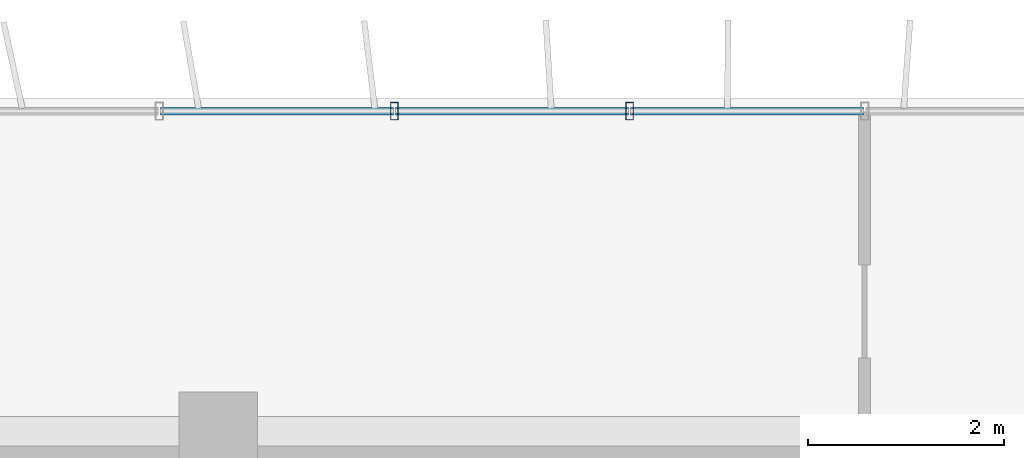
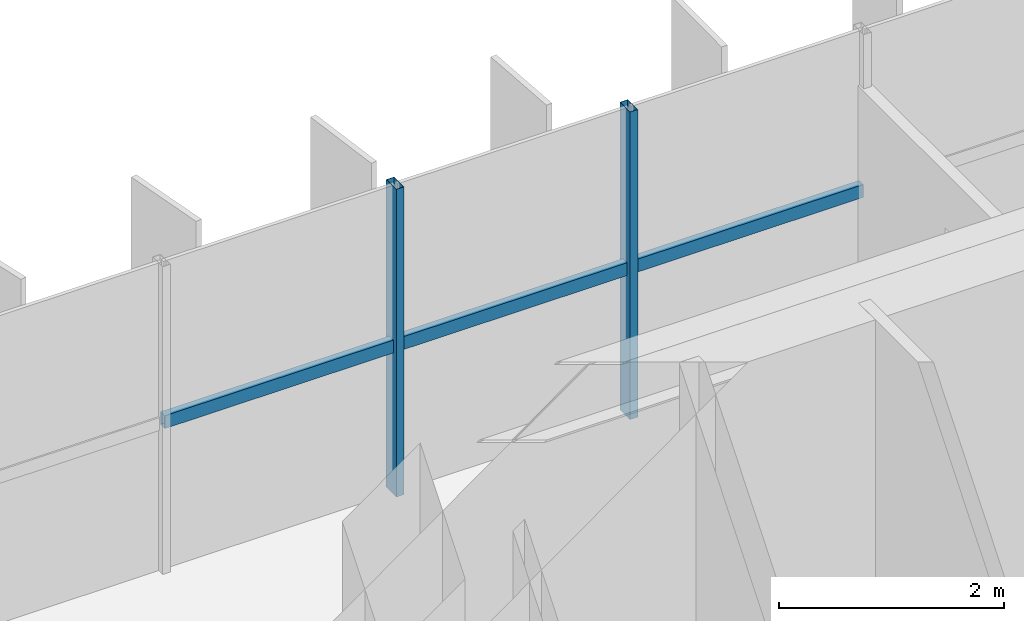
# One storey, part 7 of 22: 5 members, 1 element without a shape of its own.
"""IFC4 building model written with IfcOpenShell, lengths in metres."""

import ifcopenshell
import ifcopenshell.guid

model = None  # the IFC model being written
_history = None  # IfcOwnerHistory: only IFC2X3 demands one
_inside = {}  # id of a spatial element -> (the spatial element, [elements in it])
_under = {}  # id of a project, library or spatial element -> (it, [spatial elements below it])
_declared = {}  # id of a project -> (the project, [libraries it declares])
_typed = {}  # id of a type object -> (the type object, [elements of that type])
_made_of = {}  # id of a material, layer set ... -> (it, [elements and type objects made of it])


def new_model(schema):
    """Start an empty IFC model of exactly this schema.

    Asked for "IFC4X3", IfcOpenShell would pick the latest addendum, in which some entities
    have other attributes; the version numbers below select the first issue.
    IFC2X3 requires an IfcOwnerHistory on every rooted entity: one is made here for all.
    """
    global model, _history
    if schema == "IFC4X3":
        model = ifcopenshell.file(schema_version=(4, 3, 0, 0))
    else:
        model = ifcopenshell.file(schema=schema)
    _inside.clear()
    _under.clear()
    _declared.clear()
    _typed.clear()
    _made_of.clear()
    _history = None
    if model.schema == "IFC2X3":
        org = make("IfcOrganization", Name="unknown")
        user = make(
            "IfcPersonAndOrganization",
            ThePerson=make("IfcPerson", FamilyName="unknown"),
            TheOrganization=org,
        )
        app = make(
            "IfcApplication",
            ApplicationDeveloper=org,
            Version="unknown",
            ApplicationFullName="unknown",
            ApplicationIdentifier="unknown",
        )
        _history = make(
            "IfcOwnerHistory",
            OwningUser=user,
            OwningApplication=app,
            ChangeAction="ADDED",
            CreationDate=0,
        )
    return model


def make(cls, **values):
    """One entity of the class cls with the attributes given. An attribute that is None is left unset."""
    return model.create_entity(
        cls, **{name: value for name, value in values.items() if value is not None}
    )


def rooted(cls, **values):
    """An entity with a GlobalId (a new one), such as an element, a storey or a relation."""
    return make(cls, GlobalId=ifcopenshell.guid.new(), OwnerHistory=_history, **values)


def si_unit(unit_type, name, prefix=None):
    """IfcSIUnit, for example si_unit("LENGTHUNIT", "METRE", prefix="MILLI")."""
    return make("IfcSIUnit", UnitType=unit_type, Prefix=prefix, Name=name)


def assignment(units):
    """IfcUnitAssignment: the units of a project."""
    return None if units is None else make("IfcUnitAssignment", Units=units)


def point(xyz):
    """IfcCartesianPoint."""
    return None if xyz is None else make("IfcCartesianPoint", Coordinates=xyz)


def direction(xyz):
    """IfcDirection."""
    return None if xyz is None else make("IfcDirection", DirectionRatios=xyz)


def frame(location, z_axis=None, x_axis=None):
    """IfcAxis2Placement3D, a coordinate frame: its origin and axes. An axis left out is left unset."""
    return make(
        "IfcAxis2Placement3D",
        Location=point(location),
        Axis=direction(z_axis),
        RefDirection=direction(x_axis),
    )


def frame_2d(location, x_axis=None):
    """IfcAxis2Placement2D, a coordinate frame in the plane: its origin and x axis."""
    return make(
        "IfcAxis2Placement2D", Location=point(location), RefDirection=direction(x_axis)
    )


def origin():
    """The frame at (0, 0, 0) with its axes left unset."""
    return frame((0.0, 0.0, 0.0))


def origin_2d():
    """The frame at (0, 0) in the plane with its x axis left unset."""
    return frame_2d((0.0, 0.0))


def place(relative_to, where):
    """IfcLocalPlacement: puts the frame where relative to a parent placement (None: the world)."""
    return make(
        "IfcLocalPlacement", PlacementRelTo=relative_to, RelativePlacement=where
    )


def context(
    kind, dimensions, precision=None, world=None, true_north=None, identifier=None
):
    """IfcGeometricRepresentationContext, for example the 3D "Model" context."""
    return make(
        "IfcGeometricRepresentationContext",
        ContextIdentifier=identifier,
        ContextType=kind,
        CoordinateSpaceDimension=dimensions,
        Precision=precision,
        WorldCoordinateSystem=world,
        TrueNorth=true_north,
    )


def subcontext(parent, identifier, kind, view, scale=None):
    """IfcGeometricRepresentationSubContext, for example "Body" below "Model"."""
    return make(
        "IfcGeometricRepresentationSubContext",
        ContextIdentifier=identifier,
        ContextType=kind,
        ParentContext=parent,
        TargetScale=scale,
        TargetView=view,
    )


def project(units=None, contexts=None):
    """IfcProject with its units and contexts."""
    return rooted(
        "IfcProject",
        Name="project",
        RepresentationContexts=contexts,
        UnitsInContext=assignment(units),
    )


def spatial(cls, under=None, at=None, **own):
    """A site, building, storey or space (cls), placed at a placement, below another one or the project."""
    s = rooted(cls, ObjectPlacement=at, **own)
    if under is not None:
        _under.setdefault(under.id(), (under, []))[1].append(s)
    return s


def profile(cls, at=None, kind="AREA", **sizes):
    """A parametric profile (cls). Its sizes go by their IFC names, for example OverallWidth=200.0."""
    return make(cls, ProfileType=kind, Position=at, **sizes)


def hollow_rectangle(**sizes):
    """IfcRectangleHollowProfileDef."""
    return profile("IfcRectangleHollowProfileDef", **sizes)


def extrude(swept, where, along, depth):
    """IfcExtrudedAreaSolid: the profile swept, set in the frame where, extruded along a direction by depth."""
    return make(
        "IfcExtrudedAreaSolid",
        SweptArea=swept,
        Position=where,
        ExtrudedDirection=direction(along),
        Depth=depth,
    )


def shape(context_of_items, identifier, shape_type, items):
    """IfcShapeRepresentation: the items that make up one representation, for example the "Body"."""
    return make(
        "IfcShapeRepresentation",
        ContextOfItems=context_of_items,
        RepresentationIdentifier=identifier,
        RepresentationType=shape_type,
        Items=items,
    )


def source(mapping_origin, context_of_items, identifier, shape_type, items):
    """IfcRepresentationMap: a shape defined once, which mapped items show again and again."""
    return make(
        "IfcRepresentationMap",
        MappingOrigin=mapping_origin,
        MappedRepresentation=shape(context_of_items, identifier, shape_type, items),
    )


def transform(
    local_origin,
    x_axis=None,
    y_axis=None,
    z_axis=None,
    scale=None,
    scale2=None,
    scale3=None,
    uniform=True,
):
    """IfcCartesianTransformationOperator3D, or its non-uniform kind. x_axis, y_axis, z_axis: its Axis1, 2, 3."""
    if uniform:
        return make(
            "IfcCartesianTransformationOperator3D",
            Axis1=direction(x_axis),
            Axis2=direction(y_axis),
            LocalOrigin=point(local_origin),
            Scale=scale,
            Axis3=direction(z_axis),
        )
    return make(
        "IfcCartesianTransformationOperator3DnonUniform",
        Axis1=direction(x_axis),
        Axis2=direction(y_axis),
        LocalOrigin=point(local_origin),
        Scale=scale,
        Axis3=direction(z_axis),
        Scale2=scale2,
        Scale3=scale3,
    )


def mapped(mapping_source, mapping_target):
    """IfcMappedItem: shows the shape of a source again, moved by a transform."""
    return make(
        "IfcMappedItem", MappingSource=mapping_source, MappingTarget=mapping_target
    )


def material(Name=None, Category=None):
    """IfcMaterial."""
    return make("IfcMaterial", Name=Name, Category=Category)


def material_profile(
    of_material, cross_section, Name=None, Category=None, Priority=None
):
    """IfcMaterialProfile: a cross section and its material."""
    return make(
        "IfcMaterialProfile",
        Name=Name,
        Material=of_material,
        Profile=cross_section,
        Priority=Priority,
        Category=Category,
    )


def profile_set(profiles, Name=None, composite=None):
    """IfcMaterialProfileSet."""
    return make(
        "IfcMaterialProfileSet",
        Name=Name,
        MaterialProfiles=profiles,
        CompositeProfile=composite,
    )


def made_of(thing, what):
    """Note that an element or type object is made of a material, layer set ...; save() writes the relation."""
    if what is not None:
        _made_of.setdefault(what.id(), (what, []))[1].append(thing)
    return thing


def type_object(cls, material=None, **own):
    """A type object (cls), such as IfcWallType, which elements share."""
    return made_of(rooted(cls, **own), material)


def element(
    cls,
    number,
    at=None,
    inside=None,
    cuts=None,
    type_object=None,
    material=None,
    context=None,
    identifier="Body",
    shape_type=None,
    held_by="IfcProductDefinitionShape",
    body=None,
    shapes=None,
    **own,
):
    """One element of the class cls, such as IfcWall. Its Tag is "e" and its number.

    at: its placement. inside: the storey or other place that contains it. cuts: it is an
    opening in that element (IfcRelVoidsElement). A single representation is given by context,
    identifier, shape_type and body (its items); several are given by shapes. held_by: the class
    of the entity that holds the representations. save() writes the other relations.
    """
    e = rooted(cls, Tag="e%d" % number, ObjectPlacement=at, **own)
    if body is not None:
        shapes = [shape(context, identifier, shape_type, body)]
    if shapes is not None:
        e.Representation = make(held_by, Representations=shapes)
    if inside is not None:
        _inside.setdefault(inside.id(), (inside, []))[1].append(e)
    if cuts is not None:
        rooted(
            "IfcRelVoidsElement", RelatingBuildingElement=cuts, RelatedOpeningElement=e
        )
    if type_object is not None:
        _typed.setdefault(type_object.id(), (type_object, []))[1].append(e)
    return made_of(e, material)


def aggregate(whole, parts):
    """IfcRelAggregates: a whole, such as a stair, and the parts it consists of."""
    return rooted("IfcRelAggregates", RelatingObject=whole, RelatedObjects=parts)


def save(model, path):
    """Write the relations noted so far, then the file.

    IfcRelAggregates (storeys below a building ...), IfcRelContainedInSpatialStructure (elements
    in a storey), IfcRelDefinesByType, IfcRelAssociatesMaterial and IfcRelDeclares: one each for
    every whole, place, type object, material and project.
    """
    for whole, parts in _under.values():
        aggregate(whole, parts)
    for where, things in _inside.values():
        rooted(
            "IfcRelContainedInSpatialStructure",
            RelatedElements=things,
            RelatingStructure=where,
        )
    for kind, things in _typed.values():
        rooted("IfcRelDefinesByType", RelatedObjects=things, RelatingType=kind)
    for what, things in _made_of.values():
        rooted("IfcRelAssociatesMaterial", RelatedObjects=things, RelatingMaterial=what)
    for by, libraries in _declared.values():
        rooted("IfcRelDeclares", RelatingContext=by, RelatedDefinitions=libraries)
    model.write(path)


model = new_model("IFC4")

# Units and contexts
model_context = context("Model", 3, precision=1e-05, world=origin(), true_north=direction((0.0, 1.0)))
body_context = subcontext(model_context, "Body", "Model", "MODEL_VIEW")
ifc_project = project(units=[si_unit("LENGTHUNIT", "METRE"), si_unit("AREAUNIT", "SQUARE_METRE"), si_unit("VOLUMEUNIT", "CUBIC_METRE"), si_unit("PLANEANGLEUNIT", "RADIAN"), si_unit("MASSUNIT", "GRAM", prefix="KILO")], contexts=[model_context])

# Site, building, storey
site_placement = place(None, origin())
site = spatial("IfcSite", under=ifc_project, at=site_placement, CompositionType="ELEMENT")
building_placement = place(site_placement, origin())
building = spatial("IfcBuilding", under=site, at=building_placement, Name="Trelvane Seafront Commons", CompositionType="ELEMENT")
storey_placement = place(building_placement, frame((0.0, 0.0, 81.699951171875)))
storey = spatial("IfcBuildingStorey", under=building, at=storey_placement, Name="L20", CompositionType="ELEMENT", Elevation=81.699951171875)

# Curtain wall, members
ifc_material = material(Name="Anodised pale-silver aluminium", Category="aluminium")
curtain_wall_type = type_object("IfcCurtainWallType", Name="ARCH-CW4-SKYLOBBY", PredefinedType="NOTDEFINED", material=ifc_material)
curtain_wall_placement = place(storey_placement, origin())
curtain_wall = element("IfcCurtainWall", 1, at=curtain_wall_placement, inside=storey, type_object=curtain_wall_type, Name="CW-L20-0045", PredefinedType="NOTDEFINED")
ifc_material_profile_1 = material_profile(ifc_material, hollow_rectangle(XDim=0.074951171875, YDim=0.139892578125, WallThickness=0.00390625, at=origin_2d()), Name="TRAN-75x140x4")
ifc_profile_set_1 = profile_set([ifc_material_profile_1], Name="Anodised pale-silver aluminium")
member_type_1 = type_object("IfcMemberType", Name="ARCH-CW-TRAN-140", PredefinedType="USERDEFINED", material=ifc_profile_set_1)
shared_shape_1 = source(origin(), body_context, "Body", "SweptSolid", [
    extrude(hollow_rectangle(XDim=0.074951171875, YDim=0.139892578125, WallThickness=0.00390625, at=origin_2d()), origin(), (0.0, 0.0, 1.0), 2.3759765625),
])
member_1_placement = place(storey_placement, frame((30.011962890625, 48.3701171875, 1.60302734375), z_axis=(1.0, 0.0, 0.0), x_axis=(0.0, 1.0, 0.0)))
member_1 = element("IfcMember", 2, at=member_1_placement, type_object=member_type_1, Name="CW-L20-0045-T06", ObjectType="TRANSOM", PredefinedType="USERDEFINED", context=body_context, shape_type="MappedRepresentation", body=[
    mapped(shared_shape_1, transform((0.0, 0.0, 0.0), x_axis=(1.0, 0.0, 0.0), y_axis=(0.0, 1.0, 0.0), z_axis=(0.0, 0.0, 1.0), scale=1.0)),
])
member_2_placement = place(storey_placement, frame((32.412109375, 48.3701171875, 1.60302734375), z_axis=(1.0, 0.0, 0.0), x_axis=(0.0, 1.0, 0.0)))
member_2 = element("IfcMember", 3, at=member_2_placement, type_object=member_type_1, Name="CW-L20-0045-T07", ObjectType="TRANSOM", PredefinedType="USERDEFINED", context=body_context, shape_type="MappedRepresentation", body=[
    mapped(shared_shape_1, transform((0.0, 0.0, 0.0), x_axis=(1.0, 0.0, 0.0), y_axis=(0.0, 1.0, 0.0), z_axis=(0.0, 0.0, 1.0), scale=1.0)),
])
member_3_placement = place(storey_placement, frame((34.81201171875, 48.3701171875, 1.60302734375), z_axis=(1.0, 0.0, 0.0), x_axis=(0.0, 1.0, 0.0)))
member_3 = element("IfcMember", 4, at=member_3_placement, type_object=member_type_1, Name="CW-L20-0045-T08", ObjectType="TRANSOM", PredefinedType="USERDEFINED", context=body_context, shape_type="MappedRepresentation", body=[
    mapped(shared_shape_1, transform((0.0, 0.0, 0.0), x_axis=(1.0, 0.0, 0.0), y_axis=(0.0, 1.0, 0.0), z_axis=(0.0, 0.0, 1.0), scale=1.0)),
])
ifc_material_profile_2 = material_profile(ifc_material, hollow_rectangle(XDim=0.080078125, YDim=0.179931640625, WallThickness=0.00439453125, at=origin_2d()), Name="MULL-80x180x4.5")
ifc_profile_set_2 = profile_set([ifc_material_profile_2], Name="Anodised pale-silver aluminium")
member_type_2 = type_object("IfcMemberType", Name="ARCH-CW-MULL-180", PredefinedType="MULLION", material=ifc_profile_set_2)
shared_shape_2 = source(origin(), body_context, "Body", "SweptSolid", [
    extrude(hollow_rectangle(XDim=0.080078125, YDim=0.179931640625, WallThickness=0.00439453125, at=origin_2d()), origin(), (0.0, 0.0, 1.0), 3.340087890625),
])
member_4_placement = place(storey_placement, frame((32.39990234375, 48.3701171875, 0.0), z_axis=(0.0, 0.0, 1.0), x_axis=(1.0, 0.0, 0.0)))
member_4 = element("IfcMember", 5, at=member_4_placement, type_object=member_type_2, Name="CW-L20-0045-M07", PredefinedType="MULLION", context=body_context, shape_type="MappedRepresentation", body=[
    mapped(shared_shape_2, transform((0.0, 0.0, 0.0), x_axis=(1.0, 0.0, 0.0), y_axis=(0.0, 1.0, 0.0), z_axis=(0.0, 0.0, 1.0), scale=1.0)),
])
member_5_placement = place(storey_placement, frame((34.800048828125, 48.3701171875, 0.0), z_axis=(0.0, 0.0, 1.0), x_axis=(1.0, 0.0, 0.0)))
member_5 = element("IfcMember", 6, at=member_5_placement, type_object=member_type_2, Name="CW-L20-0045-M08", PredefinedType="MULLION", context=body_context, shape_type="MappedRepresentation", body=[
    mapped(shared_shape_2, transform((0.0, 0.0, 0.0), x_axis=(1.0, 0.0, 0.0), y_axis=(0.0, 1.0, 0.0), z_axis=(0.0, 0.0, 1.0), scale=1.0)),
])
aggregate(curtain_wall, [member_4, member_5, member_1, member_2, member_3])

save(model, "model.ifc")
